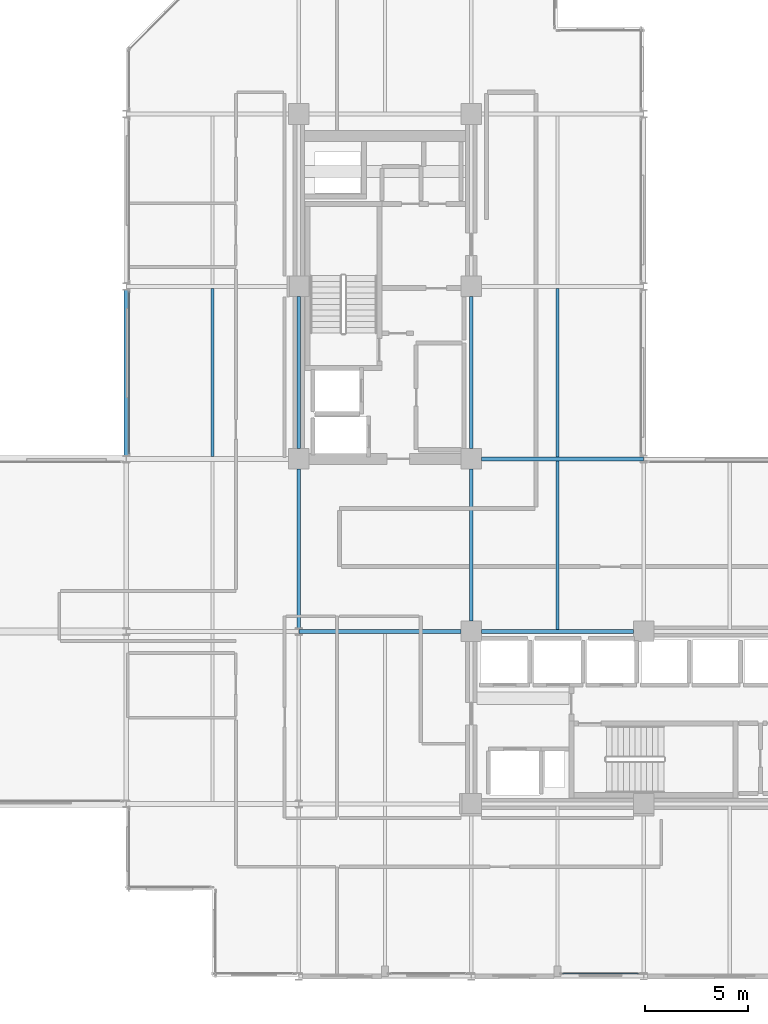
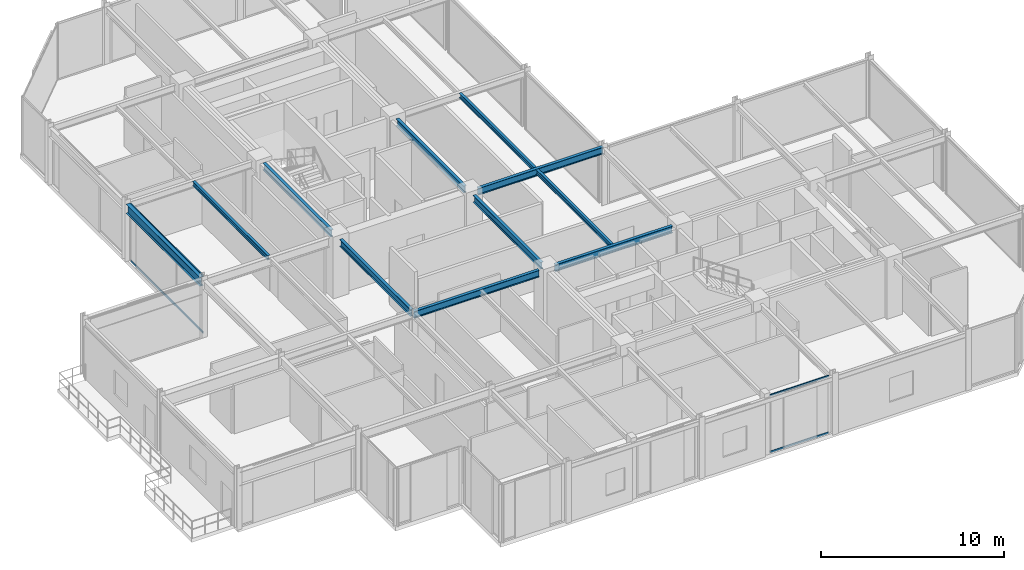
# One storey, part 10 of 29: 11 beams, 4 members, 2 elements without a shape of their own.
"""IFC4 building model written with IfcOpenShell, lengths in metres."""

from ifc_helpers import new_model, si_unit, direction, frame, origin, origin_2d, place, context, subcontext, project, spatial, hollow_rectangle, i_section, extrude, material, layer, layer_set, material_profile, profile_set, type_object, element, aggregate, save


model = new_model("IFC4")

# Units and contexts
model_context = context("Model", 3, precision=1e-05, world=origin(), true_north=direction((0.0, 1.0)))
body_context = subcontext(model_context, "Body", "Model", "MODEL_VIEW")
ifc_project = project(units=[si_unit("LENGTHUNIT", "METRE"), si_unit("AREAUNIT", "SQUARE_METRE"), si_unit("VOLUMEUNIT", "CUBIC_METRE"), si_unit("PLANEANGLEUNIT", "RADIAN"), si_unit("MASSUNIT", "GRAM", prefix="KILO")], contexts=[model_context])

# Site, building, storey
site_placement = place(None, origin())
site = spatial("IfcSite", under=ifc_project, at=site_placement, CompositionType="ELEMENT")
building_placement = place(site_placement, origin())
building = spatial("IfcBuilding", under=site, at=building_placement, Name="Nerrivon Quay Data Exchange", CompositionType="ELEMENT")
storey_placement = place(building_placement, frame((0.0, 0.0, 175.5)))
storey = spatial("IfcBuildingStorey", under=building, at=storey_placement, Name="L41", CompositionType="ELEMENT", Elevation=175.5)

# Beams
ifc_material_1 = material(Name="Steel Grade 350", Category="steel")
ifc_material_profile_1 = material_profile(ifc_material_1, i_section(OverallWidth=0.22802734375, OverallDepth=0.60205078125, WebThickness=0.010498046875, FlangeThickness=0.014892578125, FilletRadius=0.013916015625, at=origin_2d()), Name="610UB101")
ifc_profile_set_1 = profile_set([ifc_material_profile_1], Name="Steel Grade 350")
beam_type_1 = type_object("IfcBeamType", Name="BM-G2-610UB101", PredefinedType="BEAM", material=ifc_profile_set_1)
beam_1_placement = place(storey_placement, frame((0.0, 25.375, 3.52392578125), z_axis=(0.0, 1.0, 0.0), x_axis=(-1.0, 0.0, 0.0)))
element("IfcBeam", 1, at=beam_1_placement, inside=storey, type_object=beam_type_1, Name="L41 NS Girder X=0.0 (25.2..33.6)", PredefinedType="BEAM", context=body_context, shape_type="SweptSolid", body=[
    extrude(i_section(OverallWidth=0.22802734375, OverallDepth=0.60205078125, WebThickness=0.010498046875, FlangeThickness=0.014892578125, FilletRadius=0.013916015625, at=origin_2d()), origin(), (0.0, 0.0, 1.0), 8.050048828125),
])
ifc_material_profile_2 = material_profile(ifc_material_1, i_section(OverallWidth=0.19091796875, OverallDepth=0.4599609375, WebThickness=0.010009765625, FlangeThickness=0.01611328125, FilletRadius=0.011474609375, at=origin_2d()), Name="460UB82.1")
ifc_profile_set_2 = profile_set([ifc_material_profile_2], Name="Steel Grade 350")
beam_type_2 = type_object("IfcBeamType", Name="BM-G5-460UB82", PredefinedType="BEAM", material=ifc_profile_set_2)
beam_2_placement = place(storey_placement, frame((8.409912109375, 16.800048828125, 3.594970703125), z_axis=(1.0, 0.0, 0.0), x_axis=(0.0, 1.0, 0.0)))
element("IfcBeam", 2, at=beam_2_placement, inside=storey, type_object=beam_type_2, Name="L41 EW Girder Y=16.8 (8.4..16.8)", PredefinedType="BEAM", context=body_context, shape_type="SweptSolid", body=[
    extrude(i_section(OverallWidth=0.19091796875, OverallDepth=0.4599609375, WebThickness=0.010009765625, FlangeThickness=0.01611328125, FilletRadius=0.011474609375, at=origin_2d()), origin(), (0.0, 0.0, 1.0), 7.89013671875),
])
beam_3_placement = place(storey_placement, frame((17.300048828125, 16.800048828125, 3.594970703125), z_axis=(1.0, 0.0, 0.0), x_axis=(0.0, 1.0, 0.0)))
element("IfcBeam", 3, at=beam_3_placement, inside=storey, type_object=beam_type_2, Name="L41 EW Girder Y=16.8 (16.8..25.2)", PredefinedType="BEAM", context=body_context, shape_type="SweptSolid", body=[
    extrude(i_section(OverallWidth=0.19091796875, OverallDepth=0.4599609375, WebThickness=0.010009765625, FlangeThickness=0.01611328125, FilletRadius=0.011474609375, at=origin_2d()), origin(), (0.0, 0.0, 1.0), 7.39990234375),
])
beam_4_placement = place(storey_placement, frame((17.300048828125, 25.199951171875, 3.594970703125), z_axis=(1.0, 0.0, 0.0), x_axis=(0.0, 1.0, 0.0)))
element("IfcBeam", 4, at=beam_4_placement, inside=storey, type_object=beam_type_2, Name="L41 EW Girder Y=25.2 (16.8..25.2)", PredefinedType="BEAM", context=body_context, shape_type="SweptSolid", body=[
    extrude(i_section(OverallWidth=0.19091796875, OverallDepth=0.4599609375, WebThickness=0.010009765625, FlangeThickness=0.01611328125, FilletRadius=0.011474609375, at=origin_2d()), origin(), (0.0, 0.0, 1.0), 7.889892578125),
])
ifc_material_profile_3 = material_profile(ifc_material_1, i_section(OverallWidth=0.18994140625, OverallDepth=0.4541015625, WebThickness=0.008544921875, FlangeThickness=0.0126953125, FilletRadius=0.011474609375, at=origin_2d()), Name="460UB67.1")
ifc_profile_set_3 = profile_set([ifc_material_profile_3], Name="Steel Grade 350")
beam_type_3 = type_object("IfcBeamType", Name="BM-G6-460UB67", PredefinedType="BEAM", material=ifc_profile_set_3)
beam_5_placement = place(storey_placement, frame((8.39990234375, 16.97509765625, 3.597900390625), z_axis=(0.0, 1.0, 0.0), x_axis=(-1.0, 0.0, 0.0)))
element("IfcBeam", 5, at=beam_5_placement, inside=storey, type_object=beam_type_3, Name="L41 NS Girder X=8.4 (16.8..25.2)", PredefinedType="BEAM", context=body_context, shape_type="SweptSolid", body=[
    extrude(i_section(OverallWidth=0.18994140625, OverallDepth=0.4541015625, WebThickness=0.008544921875, FlangeThickness=0.0126953125, FilletRadius=0.011474609375, at=origin_2d()), origin(), (0.0, 0.0, 1.0), 7.724853515625),
])
beam_6_placement = place(storey_placement, frame((8.39990234375, 25.699951171875, 3.597900390625), z_axis=(0.0, 1.0, 0.0), x_axis=(-1.0, 0.0, 0.0)))
element("IfcBeam", 6, at=beam_6_placement, inside=storey, type_object=beam_type_3, Name="L41 NS Girder X=8.4 (25.2..33.6)", PredefinedType="BEAM", context=body_context, shape_type="SweptSolid", body=[
    extrude(i_section(OverallWidth=0.18994140625, OverallDepth=0.4541015625, WebThickness=0.008544921875, FlangeThickness=0.0126953125, FilletRadius=0.011474609375, at=origin_2d()), origin(), (0.0, 0.0, 1.0), 7.400146484375),
])
beam_7_placement = place(storey_placement, frame((16.800048828125, 17.300048828125, 3.597900390625), z_axis=(0.0, 1.0, 0.0), x_axis=(-1.0, 0.0, 0.0)))
element("IfcBeam", 7, at=beam_7_placement, inside=storey, type_object=beam_type_3, Name="L41 NS Girder X=16.8 (16.8..25.2)", PredefinedType="BEAM", context=body_context, shape_type="SweptSolid", body=[
    extrude(i_section(OverallWidth=0.18994140625, OverallDepth=0.4541015625, WebThickness=0.008544921875, FlangeThickness=0.0126953125, FilletRadius=0.011474609375, at=origin_2d()), origin(), (0.0, 0.0, 1.0), 7.39990234375),
])
beam_8_placement = place(storey_placement, frame((16.800048828125, 25.699951171875, 3.597900390625), z_axis=(0.0, 1.0, 0.0), x_axis=(-1.0, 0.0, 0.0)))
element("IfcBeam", 8, at=beam_8_placement, inside=storey, type_object=beam_type_3, Name="L41 NS Girder X=16.8 (25.2..33.6)", PredefinedType="BEAM", context=body_context, shape_type="SweptSolid", body=[
    extrude(i_section(OverallWidth=0.18994140625, OverallDepth=0.4541015625, WebThickness=0.008544921875, FlangeThickness=0.0126953125, FilletRadius=0.011474609375, at=origin_2d()), origin(), (0.0, 0.0, 1.0), 7.400146484375),
])
ifc_material_profile_4 = material_profile(ifc_material_1, i_section(OverallWidth=0.166015625, OverallDepth=0.306884765625, WebThickness=0.006591796875, FlangeThickness=0.01171875, FilletRadius=0.011474609375, at=origin_2d()), Name="310UB46.2")
ifc_profile_set_4 = profile_set([ifc_material_profile_4], Name="Steel Grade 350")
beam_type_4 = type_object("IfcBeamType", Name="BM-J5-310UB46", PredefinedType="JOIST", material=ifc_profile_set_4)
beam_9_placement = place(storey_placement, frame((4.199951171875, 25.314453125, 3.67138671875), z_axis=(0.0, 1.0, 0.0), x_axis=(-1.0, 0.0, 0.0)))
element("IfcBeam", 9, at=beam_9_placement, inside=storey, type_object=beam_type_4, Name="L41 Secondary Joist X=4.2 (25.2..33.6)", PredefinedType="JOIST", context=body_context, shape_type="SweptSolid", body=[
    extrude(i_section(OverallWidth=0.166015625, OverallDepth=0.306884765625, WebThickness=0.006591796875, FlangeThickness=0.01171875, FilletRadius=0.011474609375, at=origin_2d()), origin(), (0.0, 0.0, 1.0), 8.18994140625),
])
for number, where, z_axis, x_axis, name in (
    (10, (21.0, 16.8955078125, 3.67138671875), (0.0, 1.0, 0.0), (-1.0, 0.0, 0.0), "L41 Secondary Joist X=21.0 (16.8..25.2)"),
    (11, (21.0, 25.29541015625, 3.67138671875), (0.0, 1.0, 0.0), (-1.0, 0.0, 0.0), "L41 Secondary Joist X=21.0 (25.2..33.6)"),
):
    element("IfcBeam", number, at=place(storey_placement, frame(where, z_axis=z_axis, x_axis=x_axis)), inside=storey, type_object=beam_type_4, Name=name, PredefinedType="JOIST", context=body_context, shape_type="SweptSolid", body=[
        extrude(i_section(OverallWidth=0.166015625, OverallDepth=0.306884765625, WebThickness=0.006591796875, FlangeThickness=0.01171875, FilletRadius=0.011474609375, at=origin_2d()), origin(), (0.0, 0.0, 1.0), 8.208984375),
    ])

# Curtain wall, members
ifc_material_2 = material(Name="Anodised aluminium 6063-T6", Category="aluminium")
ifc_layer = layer(ifc_material_2, 0.195068359375)
ifc_layer_set = layer_set([ifc_layer], Name="Anodised aluminium 6063-T6")
curtain_wall_type = type_object("IfcCurtainWallType", Name="CW-SYS-06", PredefinedType="NOTDEFINED", material=ifc_layer_set)
curtain_wall_1_placement = place(storey_placement, origin())
curtain_wall_1 = element("IfcCurtainWall", 12, at=curtain_wall_1_placement, inside=storey, type_object=curtain_wall_type, Name="L41 Unitised Curtain Wall 4", PredefinedType="NOTDEFINED")
ifc_material_profile_5 = material_profile(ifc_material_2, hollow_rectangle(XDim=0.06005859375, YDim=0.1201171875, WallThickness=0.003173828125, at=origin_2d()), Name="ALU-TRAN-120x60")
ifc_profile_set_5 = profile_set([ifc_material_profile_5], Name="Anodised aluminium 6063-T6")
member_type = type_object("IfcMemberType", Name="CWT-120x60", PredefinedType="USERDEFINED", material=ifc_profile_set_5)
member_1_placement = place(storey_placement, frame((0.139892578125, 25.449951171875, 0.032470703125), z_axis=(0.0, 1.0, 0.0), x_axis=(-1.0, 0.0, 0.0)))
member_1 = element("IfcMember", 13, at=member_1_placement, type_object=member_type, Name="CW06 transom 1.1", ObjectType="TRANSOM", PredefinedType="USERDEFINED", context=body_context, shape_type="SweptSolid", body=[
    extrude(hollow_rectangle(XDim=0.06005859375, YDim=0.1201171875, WallThickness=0.003173828125, at=origin_2d()), origin(), (0.0, 0.0, 1.0), 7.900146484375),
])
member_2_placement = place(storey_placement, frame((0.139892578125, 25.449951171875, 3.79248046875), z_axis=(0.0, 1.0, 0.0), x_axis=(-1.0, 0.0, 0.0)))
member_2 = element("IfcMember", 14, at=member_2_placement, type_object=member_type, Name="CW06 transom 1.2", ObjectType="TRANSOM", PredefinedType="USERDEFINED", context=body_context, shape_type="SweptSolid", body=[
    extrude(hollow_rectangle(XDim=0.06005859375, YDim=0.1201171875, WallThickness=0.003173828125, at=origin_2d()), origin(), (0.0, 0.0, 1.0), 7.900146484375),
])
aggregate(curtain_wall_1, [member_1, member_2])

curtain_wall_2_placement = place(storey_placement, origin())
curtain_wall_2 = element("IfcCurtainWall", 15, at=curtain_wall_2_placement, inside=storey, type_object=curtain_wall_type, Name="L41 Unitised Curtain Wall 24", PredefinedType="NOTDEFINED")
member_3_placement = place(storey_placement, frame((24.949951171875, 0.139892578125, 0.032470703125), z_axis=(-1.0, 0.0, 0.0), x_axis=(0.0, -1.0, 0.0)))
member_3 = element("IfcMember", 16, at=member_3_placement, type_object=member_type, Name="CW06 transom 1.1", ObjectType="TRANSOM", PredefinedType="USERDEFINED", context=body_context, shape_type="SweptSolid", body=[
    extrude(hollow_rectangle(XDim=0.06005859375, YDim=0.1201171875, WallThickness=0.003173828125, at=origin_2d()), origin(), (0.0, 0.0, 1.0), 3.699951171875),
])
member_4_placement = place(storey_placement, frame((24.949951171875, 0.139892578125, 3.79248046875), z_axis=(-1.0, 0.0, 0.0), x_axis=(0.0, -1.0, 0.0)))
member_4 = element("IfcMember", 17, at=member_4_placement, type_object=member_type, Name="CW06 transom 1.2", ObjectType="TRANSOM", PredefinedType="USERDEFINED", context=body_context, shape_type="SweptSolid", body=[
    extrude(hollow_rectangle(XDim=0.06005859375, YDim=0.1201171875, WallThickness=0.003173828125, at=origin_2d()), origin(), (0.0, 0.0, 1.0), 3.699951171875),
])
aggregate(curtain_wall_2, [member_3, member_4])

save(model, "model.ifc")
